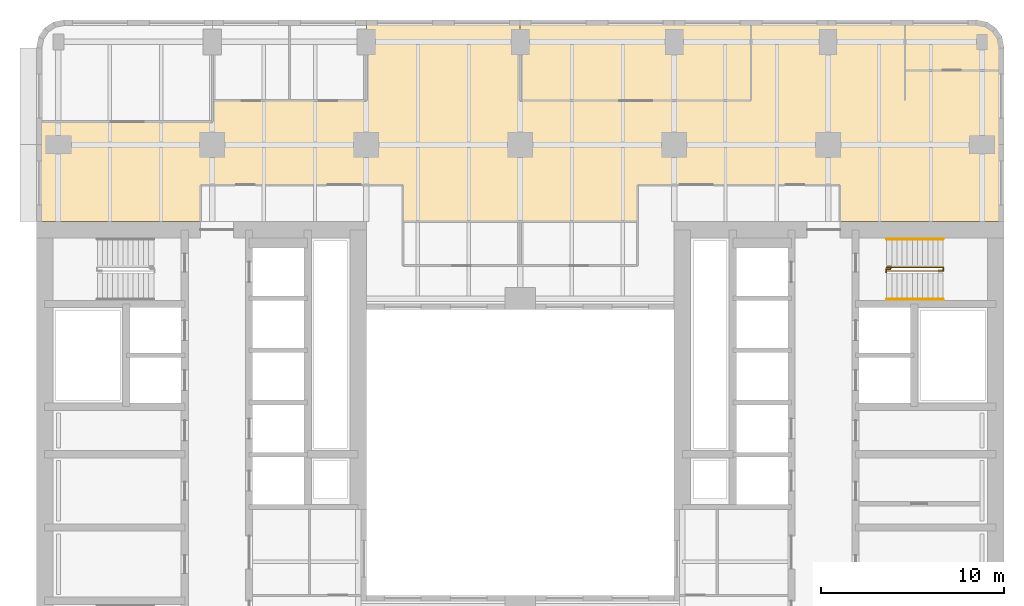
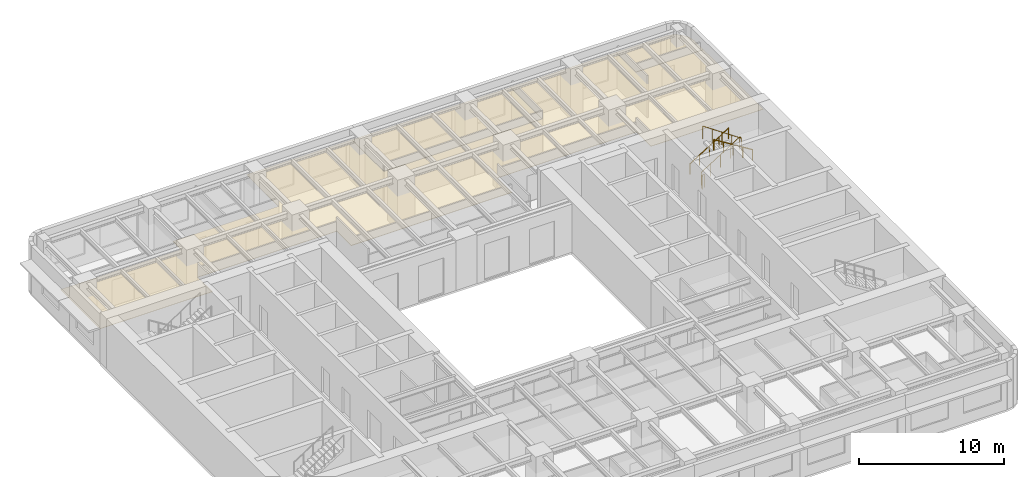
# One storey, part 11 of 11: 4 railings, 3 coverings.
"""IFC4 building model written with IfcOpenShell, lengths in metres."""

from ifc_helpers import new_model, si_unit, direction, frame, origin, origin_2d, place, context, subcontext, project, spatial, polyline, circle, outline, extrude, material, layer, layer_set, type_object, element, save


model = new_model("IFC4")

# Units and contexts
model_context = context("Model", 3, precision=1e-05, world=origin(), true_north=direction((0.0, 1.0)))
body_context = subcontext(model_context, "Body", "Model", "MODEL_VIEW")
ifc_project = project(units=[si_unit("LENGTHUNIT", "METRE"), si_unit("AREAUNIT", "SQUARE_METRE"), si_unit("VOLUMEUNIT", "CUBIC_METRE"), si_unit("PLANEANGLEUNIT", "RADIAN"), si_unit("MASSUNIT", "GRAM", prefix="KILO")], contexts=[model_context])

# Site, building, storey
site_placement = place(None, origin())
site = spatial("IfcSite", under=ifc_project, at=site_placement, CompositionType="ELEMENT")
building_placement = place(site_placement, origin())
building = spatial("IfcBuilding", under=site, at=building_placement, Name="Claustro Exchange Tower", CompositionType="ELEMENT")
storey_placement = place(building_placement, frame((0.0, 0.0, 117.60009765625)))
storey = spatial("IfcBuildingStorey", under=building, at=storey_placement, Name="L26", CompositionType="ELEMENT", Elevation=117.60009765625)

# Coverings
ifc_material_1 = material(Name="Perforated metal ceiling tiles", Category="steel")
ifc_layer_1 = layer(ifc_material_1, 0.030029296875)
ifc_layer_set_1 = layer_set([ifc_layer_1], Name="Perforated metal ceiling tiles")
covering_type_1 = type_object("IfcCoveringType", Name="CL1 suspended metal ceiling", PredefinedType="CEILING", material=ifc_layer_set_1)
covering_1_placement = place(storey_placement, frame((0.0, 0.0, 2.7998046875)))
element("IfcCovering", 1, at=covering_1_placement, inside=storey, type_object=covering_type_1, Name="Ceiling CL1 L26-19", PredefinedType="CEILING", context=body_context, shape_type="SweptSolid", body=[
    extrude(outline(polyline([(-1.199951171875, 43.25), (-1.199951171875, 37.800048828125), (7.75, 37.800048828125), (7.75, 39.800048828125), (16.800048828125, 39.800048828125), (18.800048828125, 39.800048828125), (18.800048828125, 37.800048828125), (25.199951171875, 37.800048828125), (31.60009765625, 37.800048828125), (31.60009765625, 39.800048828125), (33.60009765625, 39.800048828125), (42.64990234375, 39.800048828125), (42.64990234375, 37.800048828125), (51.60009765625, 37.800048828125), (51.60009765625, 46.050048828125), (46.199951171875, 46.050048828125), (46.199951171875, 48.800048828125), (37.800048828125, 48.800048828125), (37.800048828125, 44.39990234375), (25.199951171875, 44.39990234375), (25.199951171875, 48.800048828125), (16.800048828125, 48.800048828125), (16.800048828125, 44.39990234375), (12.60009765625, 44.39990234375), (8.39990234375, 44.39990234375), (8.39990234375, 43.25), (-1.199951171875, 43.25)])), origin(), (0.0, 0.0, 1.0), 0.030029296875),
])
ifc_material_2 = material(Name="Gypsum board ceiling", Category="gypsum board")
ifc_layer_2 = layer(ifc_material_2, 0.02490234375)
ifc_layer_set_2 = layer_set([ifc_layer_2], Name="Gypsum board ceiling")
covering_type_2 = type_object("IfcCoveringType", Name="CL2 plasterboard ceiling", PredefinedType="CEILING", material=ifc_layer_set_2)
covering_2_placement = place(storey_placement, frame((0.0, 0.0, 2.7998046875)))
element("IfcCovering", 2, at=covering_2_placement, inside=storey, type_object=covering_type_2, Name="Ceiling CL2 L26-23", PredefinedType="CEILING", context=body_context, shape_type="SweptSolid", body=[
    extrude(outline(polyline([(37.800048828125, 48.800048828125), (25.199951171875, 48.800048828125), (25.199951171875, 44.39990234375), (37.800048828125, 44.39990234375), (37.800048828125, 48.800048828125)])), origin(), (0.0, 0.0, 1.0), 0.025146484375),
])
covering_3_placement = place(storey_placement, frame((0.0, 0.0, 2.7998046875)))
element("IfcCovering", 3, at=covering_3_placement, inside=storey, type_object=covering_type_2, Name="Ceiling CL2 L26-24", PredefinedType="CEILING", context=body_context, shape_type="SweptSolid", body=[
    extrude(outline(polyline([(50.10009765625, 48.800048828125), (46.199951171875, 48.800048828125), (46.199951171875, 46.050048828125), (51.60009765625, 46.050048828125), (51.60009765625, 47.300048828125), (51.48583984375, 47.8740234375), (51.16064453125, 48.360595703125), (50.674072265625, 48.685791015625), (50.10009765625, 48.800048828125)])), origin(), (0.0, 0.0, 1.0), 0.025146484375),
])

# Railings
ifc_material_3 = material(Name="Steel balustrade, painted", Category="steel")
railing_type_1 = type_object("IfcRailingType", Name="GR2 1100 steel stair guard", PredefinedType="GUARDRAIL", material=ifc_material_3)
railing_1_placement = place(storey_placement, frame((45.199951171875, 35.300048828125, 0.1748046875)))
element("IfcRailing", 4, at=railing_1_placement, inside=storey, type_object=railing_type_1, Name="Stair well guard GR2 stair STEB L26", PredefinedType="GUARDRAIL", context=body_context, shape_type="SweptSolid", body=[
    extrude(circle(Radius=0.02392578125, at=origin_2d()), frame((0.0, 0.0, 1.076171875), z_axis=(0.847998304005, 0.0, 0.529998940003), x_axis=(0.0, 1.0, 0.0)), (0.0, 0.0, 1.0), 3.632080078125),
    extrude(circle(Radius=0.02392578125, at=origin_2d()), frame((3.080078125, 0.0, 3.0009765625), z_axis=(0.0, -1.0, 0.0), x_axis=(1.0, 0.0, 0.0)), (0.0, 0.0, 1.0), 0.199951171875),
    extrude(circle(Radius=0.02392578125, at=origin_2d()), frame((3.080078125, -0.199951171875, 3.0009765625), z_axis=(-0.826221800596, 0.0, 0.563344953133), x_axis=(0.0, -1.0, 0.0)), (0.0, 0.0, 1.0), 3.72802734375),
    extrude(circle(Radius=0.02099609375, at=origin_2d()), origin(), (0.0, 0.0, 1.0), 1.052001953125),
    extrude(circle(Radius=0.02099609375, at=origin_2d()), frame((0.77001953125, 0.0, 0.481201171875)), (0.0, 0.0, 1.0), 1.052001953125),
    extrude(circle(Radius=0.02099609375, at=origin_2d()), frame((1.5400390625, 0.0, 0.96240234375)), (0.0, 0.0, 1.0), 1.052001953125),
    extrude(circle(Radius=0.02099609375, at=origin_2d()), frame((2.31005859375, 0.0, 1.44384765625)), (0.0, 0.0, 1.0), 1.052001953125),
    extrude(circle(Radius=0.02099609375, at=origin_2d()), frame((3.080078125, 0.0, 1.925048828125)), (0.0, 0.0, 1.0), 1.052001953125),
    extrude(circle(Radius=0.02099609375, at=origin_2d()), frame((3.080078125, -0.199951171875, 1.925048828125)), (0.0, 0.0, 1.0), 1.052001953125),
    extrude(circle(Radius=0.02099609375, at=origin_2d()), frame((2.31005859375, -0.199951171875, 2.4501953125)), (0.0, 0.0, 1.0), 1.052001953125),
    extrude(circle(Radius=0.02099609375, at=origin_2d()), frame((1.5400390625, -0.199951171875, 2.97509765625)), (0.0, 0.0, 1.0), 1.052001953125),
    extrude(circle(Radius=0.02099609375, at=origin_2d()), frame((0.77001953125, -0.199951171875, 3.5)), (0.0, 0.0, 1.0), 1.052001953125),
    extrude(circle(Radius=0.02099609375, at=origin_2d()), frame((0.0, -0.199951171875, 4.025146484375)), (0.0, 0.0, 1.0), 1.052001953125),
])
railing_2_placement = place(storey_placement, frame((45.39990234375, 35.22998046875, 0.0)))
element("IfcRailing", 5, at=railing_2_placement, inside=storey, type_object=railing_type_1, Name="Stair guard GR2 STEB L26", PredefinedType="GUARDRAIL", context=body_context, shape_type="SweptSolid", body=[
    extrude(circle(Radius=0.02392578125, at=origin_2d()), frame((0.0, 0.0, 1.076171875), z_axis=(0.0, -1.0, 0.0), x_axis=(1.0, 0.0, 0.0)), (0.0, 0.0, 1.0), 0.030029296875),
    extrude(circle(Radius=0.02392578125, at=origin_2d()), frame((0.0, -0.030029296875, 1.076171875), z_axis=(-1.0, 0.0, 0.0), x_axis=(0.0, -1.0, 0.0)), (0.0, 0.0, 1.0), 0.224853515625),
    extrude(circle(Radius=0.02392578125, at=origin_2d()), frame((-0.224853515625, -0.030029296875, 1.076171875), z_axis=(0.0, -1.0, 0.0), x_axis=(1.0, 0.0, 0.0)), (0.0, 0.0, 1.0), 0.179931640625),
    extrude(circle(Radius=0.02099609375, at=origin_2d()), origin(), (0.0, 0.0, 1.0), 1.052001953125),
    extrude(circle(Radius=0.02099609375, at=origin_2d()), frame((0.0, -0.030029296875, 0.0)), (0.0, 0.0, 1.0), 1.052001953125),
    extrude(circle(Radius=0.02099609375, at=origin_2d()), frame((-0.224853515625, -0.030029296875, 0.0)), (0.0, 0.0, 1.0), 1.052001953125),
    extrude(circle(Radius=0.02099609375, at=origin_2d()), frame((-0.224853515625, -0.2099609375, 0.0)), (0.0, 0.0, 1.0), 1.052001953125),
])
ifc_material_4 = material(Name="Stainless steel tube", Category="steel")
railing_type_2 = type_object("IfcRailingType", Name="HR1 900 stair handrail", PredefinedType="HANDRAIL", material=ifc_material_4)
railing_3_placement = place(storey_placement, frame((45.199951171875, 36.840087890625, 0.1748046875)))
element("IfcRailing", 6, at=railing_3_placement, inside=storey, type_object=railing_type_2, Name="Handrail HR1 stair STEB L26", PredefinedType="HANDRAIL", context=body_context, shape_type="SweptSolid", body=[
    extrude(circle(Radius=0.02392578125, at=origin_2d()), frame((0.0, 0.0, 0.8759765625), z_axis=(0.847998304005, 0.0, 0.529998940003), x_axis=(0.0, 1.0, 0.0)), (0.0, 0.0, 1.0), 3.632080078125),
    extrude(circle(Radius=0.02099609375, at=origin_2d()), origin(), (0.0, 0.0, 1.0), 0.851806640625),
    extrude(circle(Radius=0.02099609375, at=origin_2d()), frame((0.77001953125, 0.0, 0.481201171875)), (0.0, 0.0, 1.0), 0.851806640625),
    extrude(circle(Radius=0.02099609375, at=origin_2d()), frame((1.5400390625, 0.0, 0.96240234375)), (0.0, 0.0, 1.0), 0.851806640625),
    extrude(circle(Radius=0.02099609375, at=origin_2d()), frame((2.31005859375, 0.0, 1.44384765625)), (0.0, 0.0, 1.0), 0.851806640625),
    extrude(circle(Radius=0.02099609375, at=origin_2d()), frame((3.080078125, 0.0, 1.925048828125)), (0.0, 0.0, 1.0), 0.851806640625),
])
railing_4_placement = place(storey_placement, frame((48.280029296875, 33.56005859375, 2.27490234375)))
element("IfcRailing", 7, at=railing_4_placement, inside=storey, type_object=railing_type_2, Name="Handrail HR1 stair STEB L26", PredefinedType="HANDRAIL", context=body_context, shape_type="SweptSolid", body=[
    extrude(circle(Radius=0.02392578125, at=origin_2d()), frame((0.0, 0.0, 0.8759765625), z_axis=(-0.847998304005, 0.0, 0.529998940003), x_axis=(0.0, -1.0, 0.0)), (0.0, 0.0, 1.0), 3.632080078125),
    extrude(circle(Radius=0.02099609375, at=origin_2d()), origin(), (0.0, 0.0, 1.0), 0.851806640625),
    extrude(circle(Radius=0.02099609375, at=origin_2d()), frame((-0.77001953125, 0.0, 0.481201171875)), (0.0, 0.0, 1.0), 0.851806640625),
    extrude(circle(Radius=0.02099609375, at=origin_2d()), frame((-1.5400390625, 0.0, 0.96240234375)), (0.0, 0.0, 1.0), 0.851806640625),
    extrude(circle(Radius=0.02099609375, at=origin_2d()), frame((-2.31005859375, 0.0, 1.44384765625)), (0.0, 0.0, 1.0), 0.851806640625),
    extrude(circle(Radius=0.02099609375, at=origin_2d()), frame((-3.080078125, 0.0, 1.925048828125)), (0.0, 0.0, 1.0), 0.851806640625),
])

save(model, "model.ifc")
